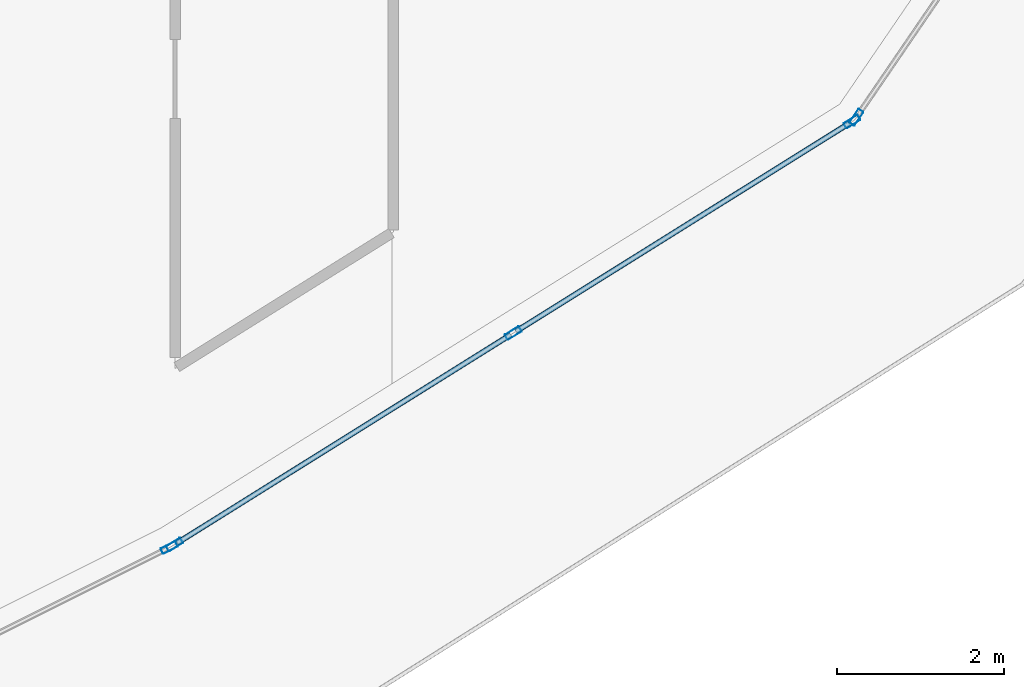
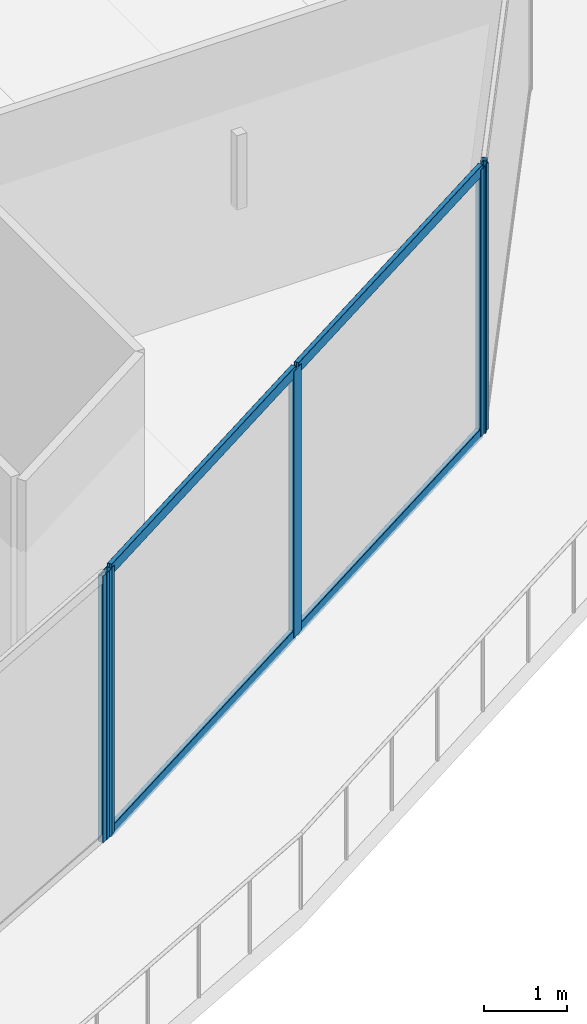
# One storey, part 8 of 44: 9 members, 3 elements without a shape of their own.
"""IFC4 building model written with IfcOpenShell, lengths in metres."""

from ifc_helpers import new_model, si_unit, direction, frame, origin, origin_2d, place, context, subcontext, project, spatial, hollow_rectangle, extrude, material, layer, layer_set, material_profile, profile_set, type_object, element, aggregate, save


model = new_model("IFC4")

# Units and contexts
model_context = context("Model", 3, precision=1e-05, world=origin(), true_north=direction((0.0, 1.0)))
body_context = subcontext(model_context, "Body", "Model", "MODEL_VIEW")
ifc_project = project(units=[si_unit("LENGTHUNIT", "METRE"), si_unit("AREAUNIT", "SQUARE_METRE"), si_unit("VOLUMEUNIT", "CUBIC_METRE"), si_unit("PLANEANGLEUNIT", "RADIAN"), si_unit("MASSUNIT", "GRAM", prefix="KILO")], contexts=[model_context])

# Site, building, storey
site_placement = place(None, origin())
site = spatial("IfcSite", under=ifc_project, at=site_placement, CompositionType="ELEMENT")
building_placement = place(site_placement, origin())
building = spatial("IfcBuilding", under=site, at=building_placement, Name="Qorvath Tower", CompositionType="ELEMENT")
storey_placement = place(building_placement, frame((0.0, 0.0, 78.60009765625)))
storey = spatial("IfcBuildingStorey", under=building, at=storey_placement, Name="L17", CompositionType="ELEMENT", Elevation=78.60009765625)

# Curtain wall, member
ifc_material_1 = material(Name="Anodised aluminium and triple low-E glass", Category="aluminium")
ifc_layer = layer(ifc_material_1, 0.179931640625)
ifc_layer_set = layer_set([ifc_layer], Name="CW-SYS-5")
curtain_wall_type = type_object("IfcCurtainWallType", Name="CW-SYS-5", PredefinedType="NOTDEFINED", material=ifc_layer_set)
curtain_wall_1_placement = place(storey_placement, origin())
curtain_wall_1 = element("IfcCurtainWall", 1, at=curtain_wall_1_placement, inside=storey, type_object=curtain_wall_type, Name="Curtain Wall CW-5 CW-T-L17-7.1", PredefinedType="NOTDEFINED")
ifc_material_2 = material(Name="Anodised aluminium 6063-T6", Category="aluminium")
ifc_material_profile_1 = material_profile(ifc_material_2, hollow_rectangle(XDim=0.074951171875, YDim=0.199951171875, WallThickness=0.00390625, InnerFilletRadius=0.00390625, OuterFilletRadius=0.008056640625, at=origin_2d()), Name="CWM 200x75")
ifc_profile_set_1 = profile_set([ifc_material_profile_1], Name="Anodised aluminium 6063-T6")
member_type_1 = type_object("IfcMemberType", Name="CWM-200", PredefinedType="MULLION", material=ifc_profile_set_1)
member_1_placement = place(storey_placement, frame((-10.678955078125, -29.957763671875, 0.0), z_axis=(0.0, 0.0, 1.0), x_axis=(-0.4472058288, 0.894431074308, 0.0)))
member_1 = element("IfcMember", 2, at=member_1_placement, type_object=member_type_1, Name="CW-5 mullion 2", PredefinedType="MULLION", context=body_context, shape_type="SweptSolid", body=[
    extrude(hollow_rectangle(XDim=0.074951171875, YDim=0.199951171875, WallThickness=0.00390625, InnerFilletRadius=0.00390625, OuterFilletRadius=0.008056640625, at=origin_2d()), origin(), (0.0, 0.0, 1.0), 3.919921875),
])
aggregate(curtain_wall_1, [member_1])

# Curtain wall, members
curtain_wall_2_placement = place(storey_placement, origin())
curtain_wall_2 = element("IfcCurtainWall", 3, at=curtain_wall_2_placement, inside=storey, type_object=curtain_wall_type, Name="Curtain Wall CW-5 CW-T-L17-8.1", PredefinedType="NOTDEFINED")
member_2_placement = place(storey_placement, frame((-10.61376953125, -29.921142578125, 0.0), z_axis=(0.0, 0.0, 1.0), x_axis=(-0.529645100027, 0.848219351358, 0.0)))
member_2 = element("IfcMember", 4, at=member_2_placement, type_object=member_type_1, Name="CW-5 mullion 1", PredefinedType="MULLION", context=body_context, shape_type="SweptSolid", body=[
    extrude(hollow_rectangle(XDim=0.074951171875, YDim=0.199951171875, WallThickness=0.00390625, InnerFilletRadius=0.00390625, OuterFilletRadius=0.008056640625, at=origin_2d()), origin(), (0.0, 0.0, 1.0), 3.919921875),
])
member_3_placement = place(storey_placement, frame((-6.55078125, -27.384033203125, 0.0), z_axis=(0.0, 0.0, 1.0), x_axis=(-0.529645100027, 0.848219351358, 0.0)))
member_3 = element("IfcMember", 5, at=member_3_placement, type_object=member_type_1, Name="CW-5 mullion 2", PredefinedType="MULLION", context=body_context, shape_type="SweptSolid", body=[
    extrude(hollow_rectangle(XDim=0.074951171875, YDim=0.199951171875, WallThickness=0.00390625, InnerFilletRadius=0.00390625, OuterFilletRadius=0.008056640625, at=origin_2d()), origin(), (0.0, 0.0, 1.0), 3.919921875),
])
member_4_placement = place(storey_placement, frame((-2.488037109375, -24.84716796875, 0.0), z_axis=(0.0, 0.0, 1.0), x_axis=(-0.529645100027, 0.848219351358, 0.0)))
member_4 = element("IfcMember", 6, at=member_4_placement, type_object=member_type_1, Name="CW-5 mullion 3", PredefinedType="MULLION", context=body_context, shape_type="SweptSolid", body=[
    extrude(hollow_rectangle(XDim=0.074951171875, YDim=0.199951171875, WallThickness=0.00390625, InnerFilletRadius=0.00390625, OuterFilletRadius=0.008056640625, at=origin_2d()), origin(), (0.0, 0.0, 1.0), 3.919921875),
])

# Curtain wall, member
curtain_wall_3_placement = place(storey_placement, origin())
curtain_wall_3 = element("IfcCurtainWall", 7, at=curtain_wall_3_placement, inside=storey, type_object=curtain_wall_type, Name="Curtain Wall CW-5 CW-T-L17-9.1", PredefinedType="NOTDEFINED")
member_5_placement = place(storey_placement, frame((-2.43505859375, -24.79638671875, 0.0), z_axis=(0.0, 0.0, 1.0), x_axis=(-0.825776009163, 0.563998211602, 0.0)))
member_5 = element("IfcMember", 8, at=member_5_placement, type_object=member_type_1, Name="CW-5 mullion 1", PredefinedType="MULLION", context=body_context, shape_type="SweptSolid", body=[
    extrude(hollow_rectangle(XDim=0.074951171875, YDim=0.199951171875, WallThickness=0.00390625, InnerFilletRadius=0.00390625, OuterFilletRadius=0.008056640625, at=origin_2d()), origin(), (0.0, 0.0, 1.0), 3.919921875),
])
aggregate(curtain_wall_3, [member_5])

# Member
ifc_material_3 = material(Name="Anodised aluminium 6063-T6", Category="aluminium")
ifc_material_profile_2 = material_profile(ifc_material_3, hollow_rectangle(XDim=0.06494140625, YDim=0.159912109375, WallThickness=0.00341796875, InnerFilletRadius=0.00341796875, OuterFilletRadius=0.007080078125, at=origin_2d()), Name="CWT 160x65")
ifc_profile_set_2 = profile_set([ifc_material_profile_2], Name="Anodised aluminium 6063-T6")
member_type_2 = type_object("IfcMemberType", Name="CWT-160", PredefinedType="USERDEFINED", material=ifc_profile_set_2)
member_6_placement = place(storey_placement, frame((-10.581787109375, -29.901123046875, 0.032470703125), z_axis=(0.848219329766, 0.529645134606, 0.0), x_axis=(-0.529645134606, 0.848219329766, 0.0)))
member_6 = element("IfcMember", 9, at=member_6_placement, type_object=member_type_2, Name="CW-5 transom 1.1", ObjectType="TRANSOM", PredefinedType="USERDEFINED", context=body_context, shape_type="SweptSolid", body=[
    extrude(hollow_rectangle(XDim=0.06494140625, YDim=0.159912109375, WallThickness=0.00341796875, InnerFilletRadius=0.00341796875, OuterFilletRadius=0.007080078125, at=origin_2d()), origin(), (0.0, 0.0, 1.0), 4.714599609375),
])

member_7_placement = place(storey_placement, frame((-10.581787109375, -29.901123046875, 3.887451171875), z_axis=(0.848219329766, 0.529645134606, 0.0), x_axis=(-0.529645134606, 0.848219329766, 0.0)))
member_7 = element("IfcMember", 10, at=member_7_placement, type_object=member_type_2, Name="CW-5 transom 1.2", ObjectType="TRANSOM", PredefinedType="USERDEFINED", context=body_context, shape_type="SweptSolid", body=[
    extrude(hollow_rectangle(XDim=0.06494140625, YDim=0.159912109375, WallThickness=0.00341796875, InnerFilletRadius=0.00341796875, OuterFilletRadius=0.007080078125, at=origin_2d()), origin(), (0.0, 0.0, 1.0), 4.714599609375),
])

member_8_placement = place(storey_placement, frame((-6.51904296875, -27.3642578125, 0.032470703125), z_axis=(0.848219329766, 0.529645134606, 0.0), x_axis=(-0.529645134606, 0.848219329766, 0.0)))
member_8 = element("IfcMember", 11, at=member_8_placement, type_object=member_type_2, Name="CW-5 transom 2.1", ObjectType="TRANSOM", PredefinedType="USERDEFINED", context=body_context, shape_type="SweptSolid", body=[
    extrude(hollow_rectangle(XDim=0.06494140625, YDim=0.159912109375, WallThickness=0.00341796875, InnerFilletRadius=0.00341796875, OuterFilletRadius=0.007080078125, at=origin_2d()), origin(), (0.0, 0.0, 1.0), 4.714599609375),
])

member_9_placement = place(storey_placement, frame((-6.51904296875, -27.3642578125, 3.887451171875), z_axis=(0.848219329766, 0.529645134606, 0.0), x_axis=(-0.529645134606, 0.848219329766, 0.0)))
member_9 = element("IfcMember", 12, at=member_9_placement, type_object=member_type_2, Name="CW-5 transom 2.2", ObjectType="TRANSOM", PredefinedType="USERDEFINED", context=body_context, shape_type="SweptSolid", body=[
    extrude(hollow_rectangle(XDim=0.06494140625, YDim=0.159912109375, WallThickness=0.00341796875, InnerFilletRadius=0.00341796875, OuterFilletRadius=0.007080078125, at=origin_2d()), origin(), (0.0, 0.0, 1.0), 4.714599609375),
])

aggregate(curtain_wall_2, [member_2, member_3, member_4, member_6, member_7, member_8, member_9])

save(model, "model.ifc")
